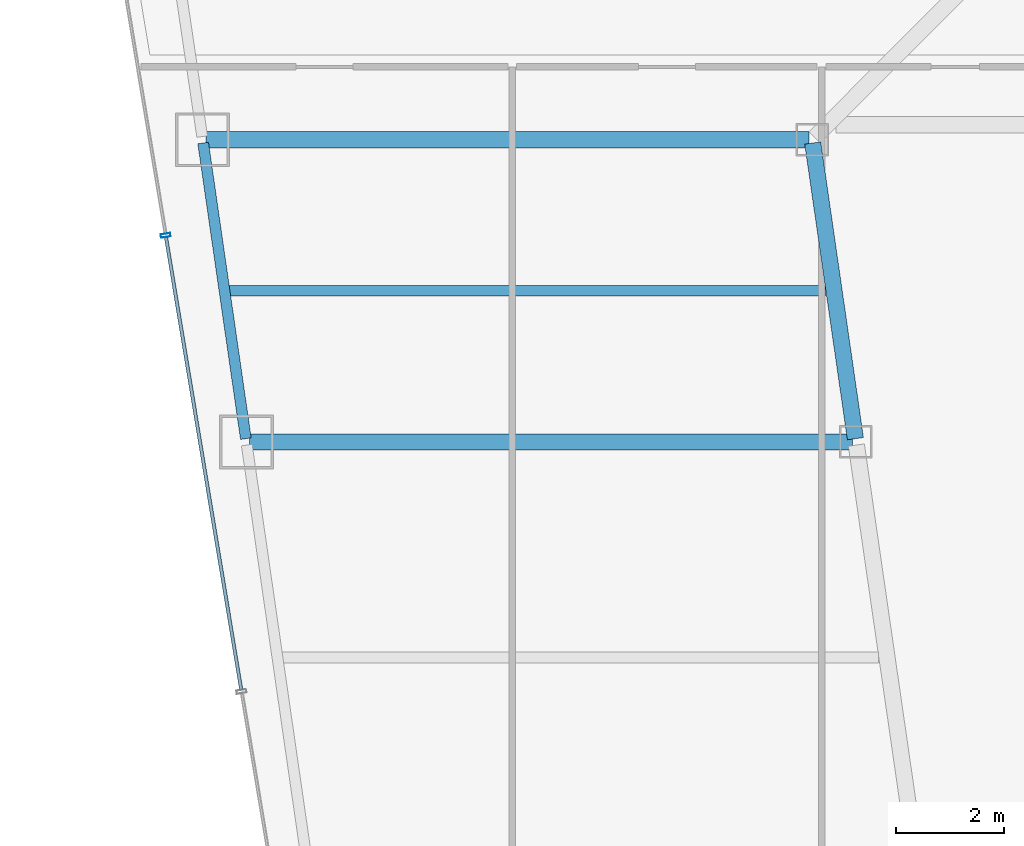
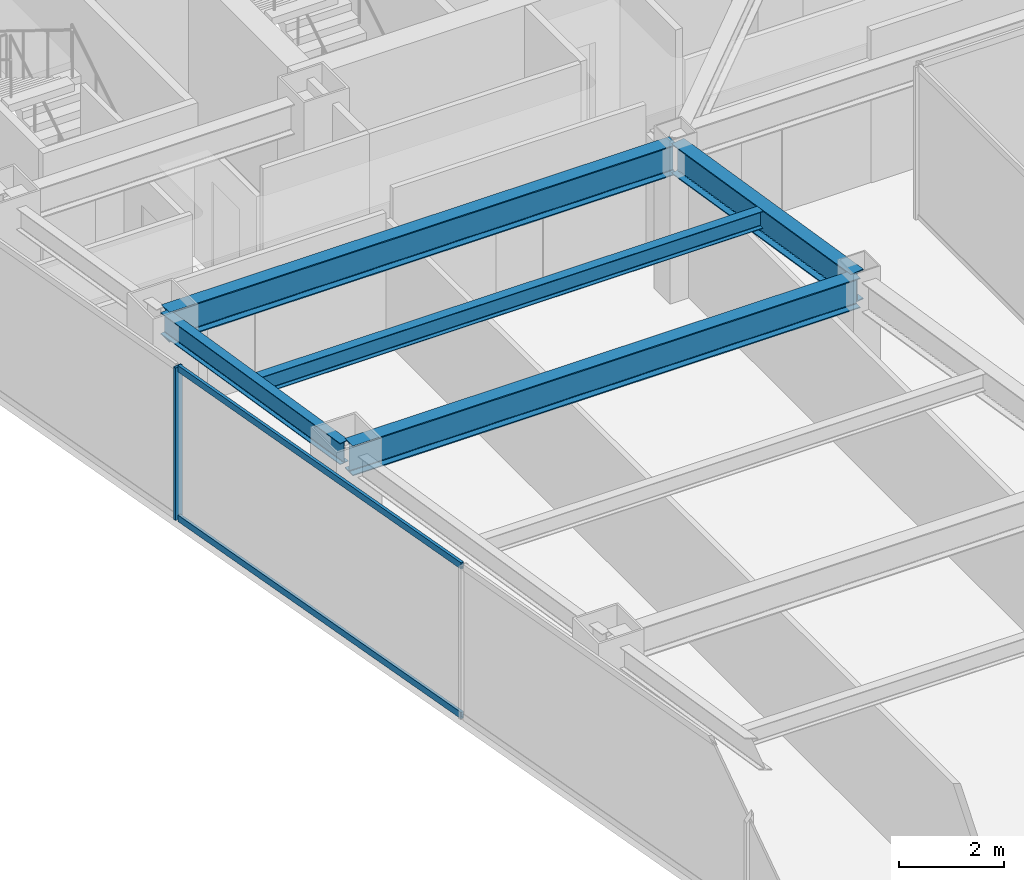
# One storey, part 11 of 40: 5 beams, 3 members, 1 element without a shape of its own.
"""IFC4 building model written with IfcOpenShell, lengths in metres."""

from ifc_helpers import new_model, si_unit, direction, frame, origin, origin_2d, place, context, subcontext, project, spatial, hollow_rectangle, i_section, extrude, material, material_profile, profile_set, type_object, element, aggregate, save


model = new_model("IFC4")

# Units and contexts
model_context = context("Model", 3, precision=1e-05, world=origin(), true_north=direction((0.0, 1.0)))
body_context = subcontext(model_context, "Body", "Model", "MODEL_VIEW")
ifc_project = project(units=[si_unit("LENGTHUNIT", "METRE"), si_unit("AREAUNIT", "SQUARE_METRE"), si_unit("VOLUMEUNIT", "CUBIC_METRE"), si_unit("PLANEANGLEUNIT", "RADIAN"), si_unit("MASSUNIT", "GRAM", prefix="KILO")], contexts=[model_context])

# Site, building, storey
site_placement = place(None, origin())
site = spatial("IfcSite", under=ifc_project, at=site_placement, CompositionType="ELEMENT")
building_placement = place(site_placement, origin())
building = spatial("IfcBuilding", under=site, at=building_placement, Name="Saevonmaru Cultural Tower", CompositionType="ELEMENT")
storey_placement = place(building_placement, frame((0.0, 0.0, 129.60009765625)))
storey = spatial("IfcBuildingStorey", under=building, at=storey_placement, Name="L27", CompositionType="ELEMENT", Elevation=129.60009765625)

# Beams
ifc_material_1 = material(Name="Steel SM355", Category="steel")
ifc_material_profile_1 = material_profile(ifc_material_1, i_section(OverallWidth=0.300048828125, OverallDepth=0.699951171875, WebThickness=0.012939453125, FlangeThickness=0.02392578125, FilletRadius=0.02587890625, at=origin_2d()), Name="H-700x300x13x24")
ifc_profile_set_1 = profile_set([ifc_material_profile_1], Name="Steel SM355")
beam_type_1 = type_object("IfcBeamType", Name="BM-G-H700", PredefinedType="BEAM", material=ifc_profile_set_1)
beam_1_placement = place(storey_placement, frame((19.6083984375, 32.059326171875, 3.199951171875), z_axis=(-0.142964121327, 0.989727871697, 0.0), x_axis=(-0.989727871697, -0.142964121327, 0.0)))
element("IfcBeam", 1, at=beam_1_placement, inside=storey, type_object=beam_type_1, Name="L27 West Atrium Girder 4", PredefinedType="BEAM", context=body_context, shape_type="SweptSolid", body=[
    extrude(i_section(OverallWidth=0.300048828125, OverallDepth=0.699951171875, WebThickness=0.012939453125, FlangeThickness=0.02392578125, FilletRadius=0.02587890625, at=origin_2d()), origin(), (0.0, 0.0, 1.0), 5.5380859375),
])
for number, where, z_axis, x_axis, name in (
    (2, (8.376953125, 32.0, 3.199951171875), (1.0, 0.0, 0.0), (0.0, 1.0, 0.0), "L27 West Wing Transverse Girder 4"),
    (3, (7.568115234375, 37.60009765625, 3.199951171875), (1.0, 0.0, 0.0), (0.0, 1.0, 0.0), "L27 West Wing Transverse Girder 5"),
):
    element("IfcBeam", number, at=place(storey_placement, frame(where, z_axis=z_axis, x_axis=x_axis)), inside=storey, type_object=beam_type_1, Name=name, PredefinedType="BEAM", context=body_context, shape_type="SweptSolid", body=[
        extrude(i_section(OverallWidth=0.300048828125, OverallDepth=0.699951171875, WebThickness=0.012939453125, FlangeThickness=0.02392578125, FilletRadius=0.02587890625, at=origin_2d()), origin(), (0.0, 0.0, 1.0), 11.179931640625),
    ])
ifc_material_profile_2 = material_profile(ifc_material_1, i_section(OverallWidth=0.199951171875, OverallDepth=0.39990234375, WebThickness=0.008056640625, FlangeThickness=0.012939453125, FilletRadius=0.01611328125, at=origin_2d()), Name="H-400x200x8x13")
ifc_profile_set_2 = profile_set([ifc_material_profile_2], Name="Steel SM355")
beam_type_2 = type_object("IfcBeamType", Name="BM-J-H400", PredefinedType="JOIST", material=ifc_profile_set_2)
beam_2_placement = place(storey_placement, frame((7.972412109375, 34.800048828125, 3.349853515625), z_axis=(1.0, 0.0, 0.0), x_axis=(0.0, 1.0, 0.0)))
element("IfcBeam", 4, at=beam_2_placement, inside=storey, type_object=beam_type_2, Name="L27 West Wing Floor Joist 4", PredefinedType="JOIST", context=body_context, shape_type="SweptSolid", body=[
    extrude(i_section(OverallWidth=0.199951171875, OverallDepth=0.39990234375, WebThickness=0.008056640625, FlangeThickness=0.012939453125, FilletRadius=0.01611328125, at=origin_2d()), origin(), (0.0, 0.0, 1.0), 11.08203125),
])
ifc_material_profile_3 = material_profile(ifc_material_1, i_section(OverallWidth=0.199951171875, OverallDepth=0.5, WebThickness=0.010009765625, FlangeThickness=0.01611328125, FilletRadius=0.02001953125, at=origin_2d()), Name="H-500x200x10x16")
ifc_profile_set_3 = profile_set([ifc_material_profile_3], Name="Steel SM355")
beam_type_3 = type_object("IfcBeamType", Name="BM-SP-H500", PredefinedType="SPANDREL", material=ifc_profile_set_3)
beam_3_placement = place(storey_placement, frame((8.308349609375, 32.059326171875, 3.2998046875), z_axis=(-0.142964121327, 0.989727871697, 0.0), x_axis=(-0.989727871697, -0.142964121327, 0.0)))
element("IfcBeam", 5, at=beam_3_placement, inside=storey, type_object=beam_type_3, Name="L27 West Splayed Spandrel 4", PredefinedType="SPANDREL", context=body_context, shape_type="SweptSolid", body=[
    extrude(i_section(OverallWidth=0.199951171875, OverallDepth=0.5, WebThickness=0.010009765625, FlangeThickness=0.01611328125, FilletRadius=0.02001953125, at=origin_2d()), origin(), (0.0, 0.0, 1.0), 5.5380859375),
])

# Curtain wall, members
ifc_material_2 = material(Name="Satin Bronze Anodised Aluminium", Category="aluminium")
curtain_wall_type = type_object("IfcCurtainWallType", Name="CW-SKY-GLZ", PredefinedType="NOTDEFINED", material=ifc_material_2)
curtain_wall_placement = place(storey_placement, origin())
curtain_wall = element("IfcCurtainWall", 6, at=curtain_wall_placement, inside=storey, type_object=curtain_wall_type, Name="L27 Unitised Curtain Wall E12", PredefinedType="NOTDEFINED")
ifc_material_profile_4 = material_profile(ifc_material_2, hollow_rectangle(XDim=0.06494140625, YDim=0.179931640625, WallThickness=0.00390625, at=origin_2d()), Name="ALU-MULL-180x65x4")
ifc_profile_set_4 = profile_set([ifc_material_profile_4], Name="Satin Bronze Anodised Aluminium")
member_type_1 = type_object("IfcMemberType", Name="ML-CW-180x65", PredefinedType="MULLION", material=ifc_profile_set_4)
member_1_placement = place(storey_placement, frame((6.821533203125, 35.828125, 0.0), z_axis=(0.0, 0.0, 1.0), x_axis=(0.163998702345, -0.986460554523, 0.0)))
member_1 = element("IfcMember", 7, at=member_1_placement, type_object=member_type_1, Name="CW-TW-L27-E12 mullion 3", PredefinedType="MULLION", context=body_context, shape_type="SweptSolid", body=[
    extrude(hollow_rectangle(XDim=0.06494140625, YDim=0.179931640625, WallThickness=0.00390625, at=origin_2d()), origin(), (0.0, 0.0, 1.0), 3.5498046875),
])
ifc_material_profile_5 = material_profile(ifc_material_2, hollow_rectangle(XDim=0.06494140625, YDim=0.14990234375, WallThickness=0.00390625, at=origin_2d()), Name="ALU-TRAN-150x65x4")
ifc_profile_set_5 = profile_set([ifc_material_profile_5], Name="Satin Bronze Anodised Aluminium")
member_type_2 = type_object("IfcMemberType", Name="TR-CW-150x65", PredefinedType="USERDEFINED", material=ifc_profile_set_5)
member_2_placement = place(storey_placement, frame((6.826904296875, 35.796142578125, 0.032470703125), z_axis=(0.164003420685, -0.986459770089, 0.0), x_axis=(0.986459770089, 0.164003420685, 0.0)))
member_2 = element("IfcMember", 8, at=member_2_placement, type_object=member_type_2, Name="CW-TW-L27-E12 transom 3.1", ObjectType="TRANSOM", PredefinedType="USERDEFINED", context=body_context, shape_type="SweptSolid", body=[
    extrude(hollow_rectangle(XDim=0.06494140625, YDim=0.14990234375, WallThickness=0.00390625, at=origin_2d()), origin(), (0.0, 0.0, 1.0), 8.507568359375),
])
member_3_placement = place(storey_placement, frame((6.826904296875, 35.796142578125, 3.517333984375), z_axis=(0.164003420685, -0.986459770089, 0.0), x_axis=(0.986459770089, 0.164003420685, 0.0)))
member_3 = element("IfcMember", 9, at=member_3_placement, type_object=member_type_2, Name="CW-TW-L27-E12 transom 3.2", ObjectType="TRANSOM", PredefinedType="USERDEFINED", context=body_context, shape_type="SweptSolid", body=[
    extrude(hollow_rectangle(XDim=0.06494140625, YDim=0.14990234375, WallThickness=0.00390625, at=origin_2d()), origin(), (0.0, 0.0, 1.0), 8.507568359375),
])
aggregate(curtain_wall, [member_1, member_2, member_3])

save(model, "model.ifc")
